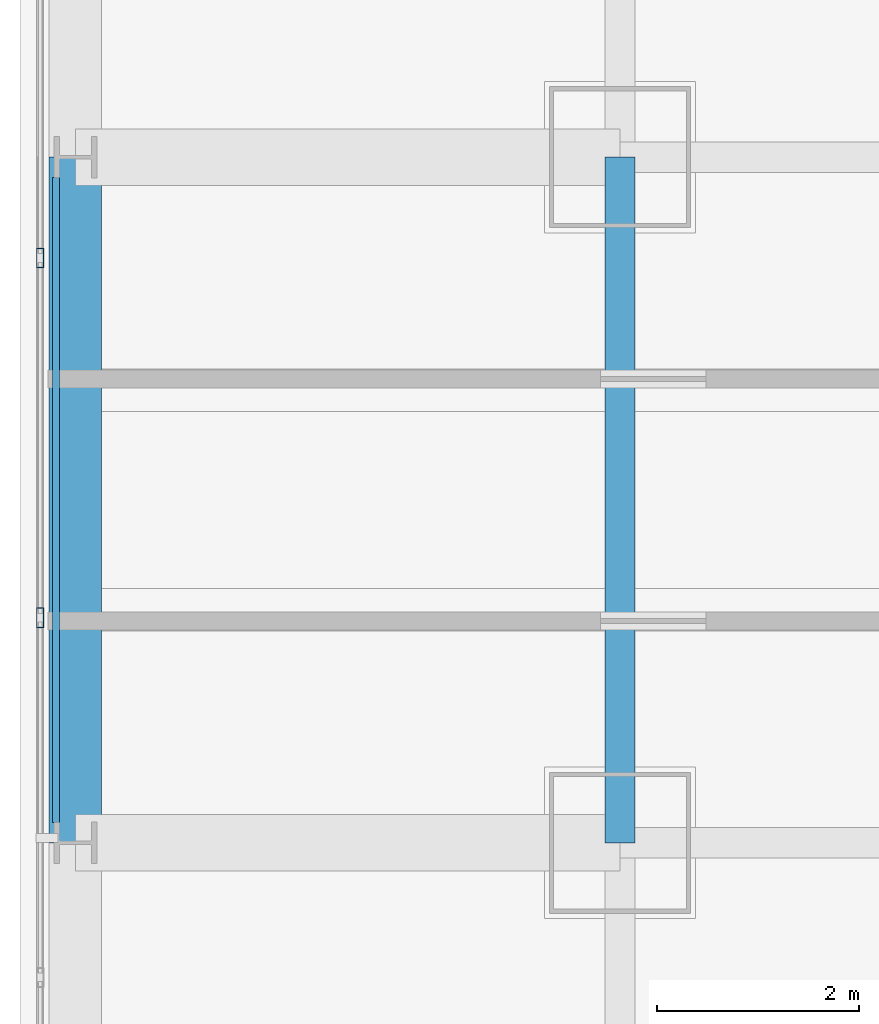
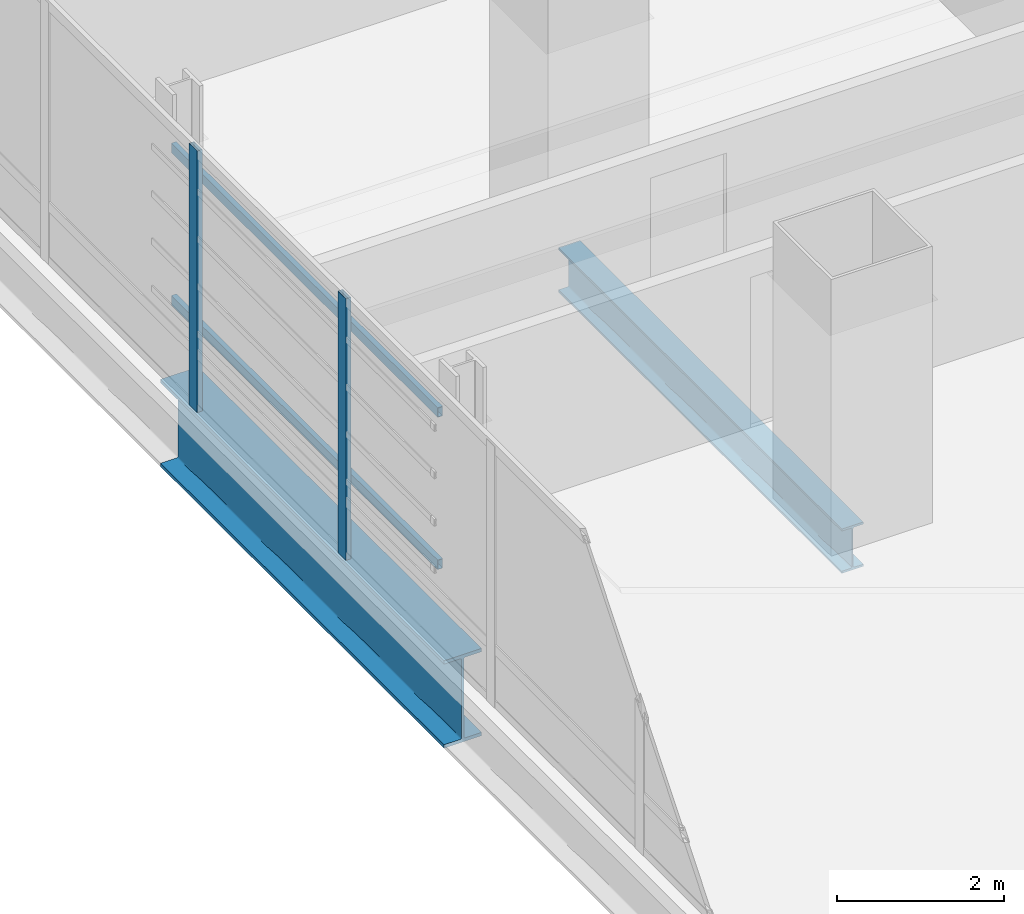
# One storey, part 10 of 38: 4 members, 2 beams, 1 element without a shape of its own.
"""IFC4 building model written with IfcOpenShell, lengths in metres."""

from ifc_helpers import new_model, si_unit, direction, frame, origin, origin_2d, place, context, subcontext, project, spatial, hollow_rectangle, i_section, extrude, material, material_profile, profile_set, type_object, element, aggregate, save


model = new_model("IFC4")

# Units and contexts
model_context = context("Model", 3, precision=1e-05, world=origin(), true_north=direction((0.0, 1.0)))
body_context = subcontext(model_context, "Body", "Model", "MODEL_VIEW")
ifc_project = project(units=[si_unit("LENGTHUNIT", "METRE"), si_unit("AREAUNIT", "SQUARE_METRE"), si_unit("VOLUMEUNIT", "CUBIC_METRE"), si_unit("PLANEANGLEUNIT", "RADIAN"), si_unit("MASSUNIT", "GRAM", prefix="KILO")], contexts=[model_context])

# Site, building, storey
site_placement = place(None, origin())
site = spatial("IfcSite", under=ifc_project, at=site_placement, CompositionType="ELEMENT")
building_placement = place(site_placement, origin())
building = spatial("IfcBuilding", under=site, at=building_placement, Name="Punatoya Terracotta Tower", CompositionType="ELEMENT")
storey_placement = place(building_placement, frame((0.0, 0.0, 147.89990234375)))
storey = spatial("IfcBuildingStorey", under=building, at=storey_placement, Name="L34", CompositionType="ELEMENT", Elevation=147.89990234375)

# Beams
ifc_material_1 = material(Name="Steel S355", Category="steel")
ifc_material_profile_1 = material_profile(ifc_material_1, i_section(OverallWidth=0.300048828125, OverallDepth=0.64990234375, WebThickness=0.01611328125, FlangeThickness=0.031005859375, FilletRadius=0.01806640625, at=origin_2d()))
ifc_profile_set_1 = profile_set([ifc_material_profile_1], Name="Steel S355")
beam_type_1 = type_object("IfcBeamType", Name="BM-PRI-650", PredefinedType="BEAM", material=ifc_profile_set_1)
beam_1_placement = place(storey_placement, frame((-19.10009765625, -3.39990234375, -0.544921875), z_axis=(0.0, 1.0, 0.0), x_axis=(-1.0, 0.0, 0.0)))
element("IfcBeam", 1, at=beam_1_placement, inside=storey, type_object=beam_type_1, Name="BM-L34-RG-W2", PredefinedType="BEAM", context=body_context, shape_type="SweptSolid", body=[
    extrude(i_section(OverallWidth=0.300048828125, OverallDepth=0.64990234375, WebThickness=0.01611328125, FlangeThickness=0.031005859375, FilletRadius=0.01806640625, at=origin_2d()), origin(), (0.0, 0.0, 1.0), 6.7998046875),
])
ifc_material_2 = material(Name="Steel S460", Category="steel")
ifc_material_profile_2 = material_profile(ifc_material_2, i_section(OverallWidth=0.52001953125, OverallDepth=1.280029296875, WebThickness=0.031982421875, FlangeThickness=0.050048828125, FilletRadius=0.01806640625, at=origin_2d()))
ifc_profile_set_2 = profile_set([ifc_material_profile_2], Name="Steel S460")
beam_type_2 = type_object("IfcBeamType", Name="BM-TG-NCK", PredefinedType="BEAM", material=ifc_profile_set_2)
beam_2_placement = place(storey_placement, frame((-24.5, -3.39990234375, -0.85986328125), z_axis=(0.0, 1.0, 0.0), x_axis=(-1.0, 0.0, 0.0)))
element("IfcBeam", 2, at=beam_2_placement, inside=storey, type_object=beam_type_2, Name="BM-L34-PER-W2", PredefinedType="BEAM", context=body_context, shape_type="SweptSolid", body=[
    extrude(i_section(OverallWidth=0.52001953125, OverallDepth=1.280029296875, WebThickness=0.031982421875, FlangeThickness=0.050048828125, FilletRadius=0.01806640625, at=origin_2d()), origin(), (0.0, 0.0, 1.0), 6.7998046875),
])

# Curtain wall, members
ifc_material_3 = material(Name="Aluminium 6063-T6 + Double Low-E Glass", Category="aluminium")
curtain_wall_type = type_object("IfcCurtainWallType", Name="CW-M2", PredefinedType="NOTDEFINED", material=ifc_material_3)
curtain_wall_placement = place(storey_placement, origin())
curtain_wall = element("IfcCurtainWall", 3, at=curtain_wall_placement, inside=storey, type_object=curtain_wall_type, Name="L34 Curtain Wall CW-L34-W13-1", PredefinedType="NOTDEFINED")
ifc_material_4 = material(Name="Aluminium 6063-T6", Category="aluminium")
ifc_material_profile_3 = material_profile(ifc_material_4, hollow_rectangle(XDim=0.072021484375, YDim=0.195068359375, WallThickness=0.00439453125, at=origin_2d()))
ifc_profile_set_3 = profile_set([ifc_material_profile_3], Name="Aluminium 6063-T6")
member_type_1 = type_object("IfcMemberType", Name="CW-MUL-M2", PredefinedType="MULLION", material=ifc_profile_set_3)
member_1_placement = place(storey_placement, frame((-24.85009765625, 2.39990234375, 0.0), z_axis=(0.0, 0.0, 1.0), x_axis=(1.0, 0.0, 0.0)))
member_1 = element("IfcMember", 4, at=member_1_placement, type_object=member_type_1, Name="CW-L34-W13-1 Mullion 05", PredefinedType="MULLION", context=body_context, shape_type="SweptSolid", body=[
    extrude(hollow_rectangle(XDim=0.072021484375, YDim=0.195068359375, WallThickness=0.00439453125, at=origin_2d()), origin(), (0.0, 0.0, 1.0), 3.830078125),
])
member_2_placement = place(storey_placement, frame((-24.85009765625, -1.16748046875, 0.0), z_axis=(0.0, 0.0, 1.0), x_axis=(1.0, 0.0, 0.0)))
member_2 = element("IfcMember", 5, at=member_2_placement, type_object=member_type_1, Name="CW-L34-W13-1 Mullion 06", PredefinedType="MULLION", context=body_context, shape_type="SweptSolid", body=[
    extrude(hollow_rectangle(XDim=0.072021484375, YDim=0.195068359375, WallThickness=0.00439453125, at=origin_2d()), origin(), (0.0, 0.0, 1.0), 3.830078125),
])
aggregate(curtain_wall, [member_1, member_2])

# Members
ifc_material_profile_4 = material_profile(ifc_material_1, hollow_rectangle(XDim=0.070068359375, YDim=0.139892578125, WallThickness=0.006103515625, at=origin_2d()))
ifc_profile_set_4 = profile_set([ifc_material_profile_4], Name="Steel S355")
member_type_2 = type_object("IfcMemberType", Name="MEM-BAG-RAIL", PredefinedType="USERDEFINED", material=ifc_profile_set_4)
for number, where, z_axis, x_axis, name in (
    (6, (-24.694580078125, -3.196044921875, 1.050048828125), (0.0, 1.0, 0.0), (-1.0, 0.0, 0.0), "L34 Terracotta Baguette Carrier Rail BAG-L34-W-R1"),
    (7, (-24.694580078125, -3.196044921875, 3.280029296875), (0.0, 1.0, 0.0), (-1.0, 0.0, 0.0), "L34 Terracotta Baguette Carrier Rail BAG-L34-W-R2"),
):
    element("IfcMember", number, at=place(storey_placement, frame(where, z_axis=z_axis, x_axis=x_axis)), inside=storey, type_object=member_type_2, Name=name, ObjectType="BAGUETTE", PredefinedType="USERDEFINED", context=body_context, shape_type="SweptSolid", body=[
        extrude(hollow_rectangle(XDim=0.070068359375, YDim=0.139892578125, WallThickness=0.006103515625, at=origin_2d()), origin(), (0.0, 0.0, 1.0), 6.39208984375),
    ])

save(model, "model.ifc")
